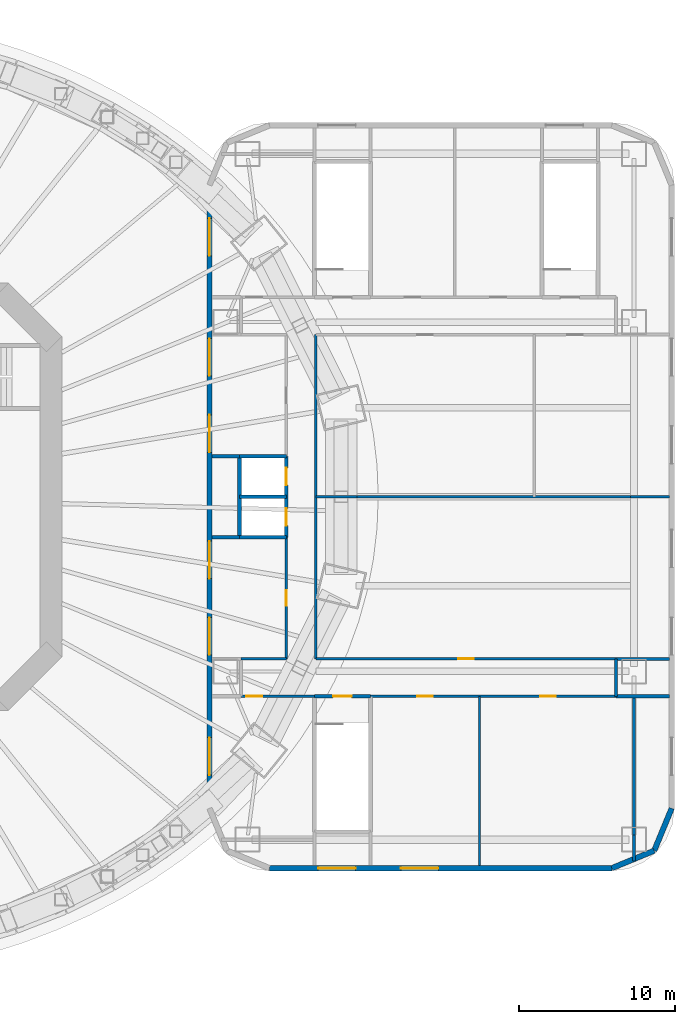
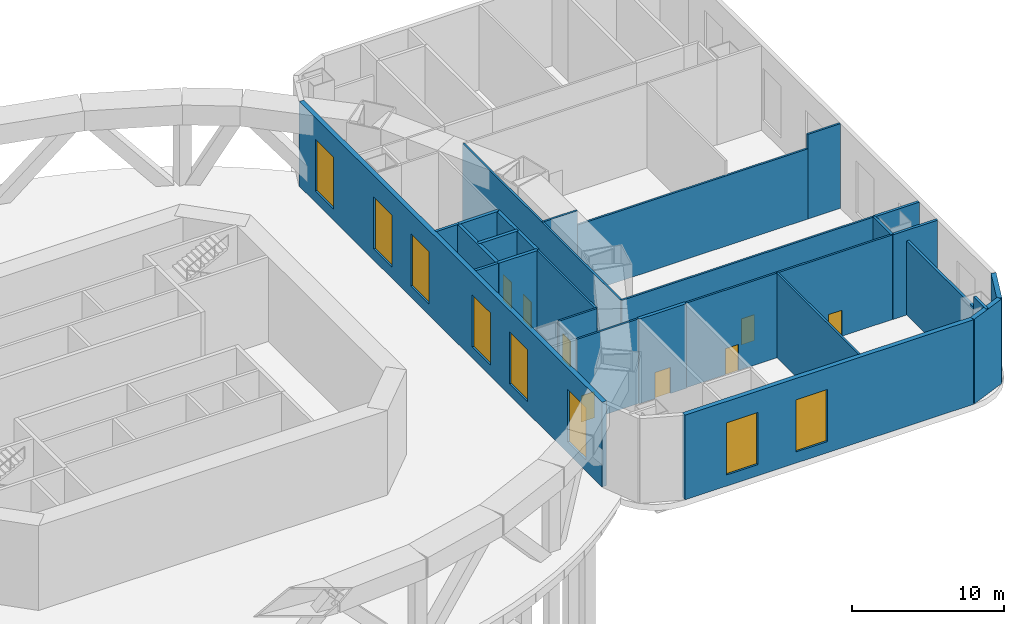
# One storey, part 10 of 13: 27 walls, 8 doors, 8 windows, 16 openings.
"""IFC4 building model written with IfcOpenShell, lengths in metres."""

import ifcopenshell
import ifcopenshell.guid

model = None  # the IFC model being written
_history = None  # IfcOwnerHistory: only IFC2X3 demands one
_inside = {}  # id of a spatial element -> (the spatial element, [elements in it])
_under = {}  # id of a project, library or spatial element -> (it, [spatial elements below it])
_declared = {}  # id of a project -> (the project, [libraries it declares])
_typed = {}  # id of a type object -> (the type object, [elements of that type])
_made_of = {}  # id of a material, layer set ... -> (it, [elements and type objects made of it])


def new_model(schema):
    """Start an empty IFC model of exactly this schema.

    Asked for "IFC4X3", IfcOpenShell would pick the latest addendum, in which some entities
    have other attributes; the version numbers below select the first issue.
    IFC2X3 requires an IfcOwnerHistory on every rooted entity: one is made here for all.
    """
    global model, _history
    if schema == "IFC4X3":
        model = ifcopenshell.file(schema_version=(4, 3, 0, 0))
    else:
        model = ifcopenshell.file(schema=schema)
    _inside.clear()
    _under.clear()
    _declared.clear()
    _typed.clear()
    _made_of.clear()
    _history = None
    if model.schema == "IFC2X3":
        org = make("IfcOrganization", Name="unknown")
        user = make(
            "IfcPersonAndOrganization",
            ThePerson=make("IfcPerson", FamilyName="unknown"),
            TheOrganization=org,
        )
        app = make(
            "IfcApplication",
            ApplicationDeveloper=org,
            Version="unknown",
            ApplicationFullName="unknown",
            ApplicationIdentifier="unknown",
        )
        _history = make(
            "IfcOwnerHistory",
            OwningUser=user,
            OwningApplication=app,
            ChangeAction="ADDED",
            CreationDate=0,
        )
    return model


def make(cls, **values):
    """One entity of the class cls with the attributes given. An attribute that is None is left unset."""
    return model.create_entity(
        cls, **{name: value for name, value in values.items() if value is not None}
    )


def rooted(cls, **values):
    """An entity with a GlobalId (a new one), such as an element, a storey or a relation."""
    return make(cls, GlobalId=ifcopenshell.guid.new(), OwnerHistory=_history, **values)


def si_unit(unit_type, name, prefix=None):
    """IfcSIUnit, for example si_unit("LENGTHUNIT", "METRE", prefix="MILLI")."""
    return make("IfcSIUnit", UnitType=unit_type, Prefix=prefix, Name=name)


def assignment(units):
    """IfcUnitAssignment: the units of a project."""
    return None if units is None else make("IfcUnitAssignment", Units=units)


def point(xyz):
    """IfcCartesianPoint."""
    return None if xyz is None else make("IfcCartesianPoint", Coordinates=xyz)


def direction(xyz):
    """IfcDirection."""
    return None if xyz is None else make("IfcDirection", DirectionRatios=xyz)


def frame(location, z_axis=None, x_axis=None):
    """IfcAxis2Placement3D, a coordinate frame: its origin and axes. An axis left out is left unset."""
    return make(
        "IfcAxis2Placement3D",
        Location=point(location),
        Axis=direction(z_axis),
        RefDirection=direction(x_axis),
    )


def frame_2d(location, x_axis=None):
    """IfcAxis2Placement2D, a coordinate frame in the plane: its origin and x axis."""
    return make(
        "IfcAxis2Placement2D", Location=point(location), RefDirection=direction(x_axis)
    )


def origin():
    """The frame at (0, 0, 0) with its axes left unset."""
    return frame((0.0, 0.0, 0.0))


def place(relative_to, where):
    """IfcLocalPlacement: puts the frame where relative to a parent placement (None: the world)."""
    return make(
        "IfcLocalPlacement", PlacementRelTo=relative_to, RelativePlacement=where
    )


def context(
    kind, dimensions, precision=None, world=None, true_north=None, identifier=None
):
    """IfcGeometricRepresentationContext, for example the 3D "Model" context."""
    return make(
        "IfcGeometricRepresentationContext",
        ContextIdentifier=identifier,
        ContextType=kind,
        CoordinateSpaceDimension=dimensions,
        Precision=precision,
        WorldCoordinateSystem=world,
        TrueNorth=true_north,
    )


def subcontext(parent, identifier, kind, view, scale=None):
    """IfcGeometricRepresentationSubContext, for example "Body" below "Model"."""
    return make(
        "IfcGeometricRepresentationSubContext",
        ContextIdentifier=identifier,
        ContextType=kind,
        ParentContext=parent,
        TargetScale=scale,
        TargetView=view,
    )


def project(units=None, contexts=None):
    """IfcProject with its units and contexts."""
    return rooted(
        "IfcProject",
        Name="project",
        RepresentationContexts=contexts,
        UnitsInContext=assignment(units),
    )


def spatial(cls, under=None, at=None, **own):
    """A site, building, storey or space (cls), placed at a placement, below another one or the project."""
    s = rooted(cls, ObjectPlacement=at, **own)
    if under is not None:
        _under.setdefault(under.id(), (under, []))[1].append(s)
    return s


def profile(cls, at=None, kind="AREA", **sizes):
    """A parametric profile (cls). Its sizes go by their IFC names, for example OverallWidth=200.0."""
    return make(cls, ProfileType=kind, Position=at, **sizes)


def rectangle(**sizes):
    """IfcRectangleProfileDef."""
    return profile("IfcRectangleProfileDef", **sizes)


def extrude(swept, where, along, depth):
    """IfcExtrudedAreaSolid: the profile swept, set in the frame where, extruded along a direction by depth."""
    return make(
        "IfcExtrudedAreaSolid",
        SweptArea=swept,
        Position=where,
        ExtrudedDirection=direction(along),
        Depth=depth,
    )


def shape(context_of_items, identifier, shape_type, items):
    """IfcShapeRepresentation: the items that make up one representation, for example the "Body"."""
    return make(
        "IfcShapeRepresentation",
        ContextOfItems=context_of_items,
        RepresentationIdentifier=identifier,
        RepresentationType=shape_type,
        Items=items,
    )


def material(Name=None, Category=None):
    """IfcMaterial."""
    return make("IfcMaterial", Name=Name, Category=Category)


def layer(
    of_material, thickness, ventilated=None, Name=None, Category=None, Priority=None
):
    """IfcMaterialLayer: one layer of a wall or slab, of a material (None: an air gap)."""
    return make(
        "IfcMaterialLayer",
        Material=of_material,
        LayerThickness=thickness,
        IsVentilated=ventilated,
        Name=Name,
        Category=Category,
        Priority=Priority,
    )


def layer_set(layers, Name=None):
    """IfcMaterialLayerSet."""
    return make("IfcMaterialLayerSet", MaterialLayers=layers, LayerSetName=Name)


def made_of(thing, what):
    """Note that an element or type object is made of a material, layer set ...; save() writes the relation."""
    if what is not None:
        _made_of.setdefault(what.id(), (what, []))[1].append(thing)
    return thing


def type_object(cls, material=None, **own):
    """A type object (cls), such as IfcWallType, which elements share."""
    return made_of(rooted(cls, **own), material)


def element(
    cls,
    number,
    at=None,
    inside=None,
    cuts=None,
    type_object=None,
    material=None,
    context=None,
    identifier="Body",
    shape_type=None,
    held_by="IfcProductDefinitionShape",
    body=None,
    shapes=None,
    **own,
):
    """One element of the class cls, such as IfcWall. Its Tag is "e" and its number.

    at: its placement. inside: the storey or other place that contains it. cuts: it is an
    opening in that element (IfcRelVoidsElement). A single representation is given by context,
    identifier, shape_type and body (its items); several are given by shapes. held_by: the class
    of the entity that holds the representations. save() writes the other relations.
    """
    e = rooted(cls, Tag="e%d" % number, ObjectPlacement=at, **own)
    if body is not None:
        shapes = [shape(context, identifier, shape_type, body)]
    if shapes is not None:
        e.Representation = make(held_by, Representations=shapes)
    if inside is not None:
        _inside.setdefault(inside.id(), (inside, []))[1].append(e)
    if cuts is not None:
        rooted(
            "IfcRelVoidsElement", RelatingBuildingElement=cuts, RelatedOpeningElement=e
        )
    if type_object is not None:
        _typed.setdefault(type_object.id(), (type_object, []))[1].append(e)
    return made_of(e, material)


def fill(opening, filler):
    """IfcRelFillsElement: the door or window that sits in an opening."""
    return rooted(
        "IfcRelFillsElement",
        RelatingOpeningElement=opening,
        RelatedBuildingElement=filler,
    )


def aggregate(whole, parts):
    """IfcRelAggregates: a whole, such as a stair, and the parts it consists of."""
    return rooted("IfcRelAggregates", RelatingObject=whole, RelatedObjects=parts)


def save(model, path):
    """Write the relations noted so far, then the file.

    IfcRelAggregates (storeys below a building ...), IfcRelContainedInSpatialStructure (elements
    in a storey), IfcRelDefinesByType, IfcRelAssociatesMaterial and IfcRelDeclares: one each for
    every whole, place, type object, material and project.
    """
    for whole, parts in _under.values():
        aggregate(whole, parts)
    for where, things in _inside.values():
        rooted(
            "IfcRelContainedInSpatialStructure",
            RelatedElements=things,
            RelatingStructure=where,
        )
    for kind, things in _typed.values():
        rooted("IfcRelDefinesByType", RelatedObjects=things, RelatingType=kind)
    for what, things in _made_of.values():
        rooted("IfcRelAssociatesMaterial", RelatedObjects=things, RelatingMaterial=what)
    for by, libraries in _declared.values():
        rooted("IfcRelDeclares", RelatingContext=by, RelatedDefinitions=libraries)
    model.write(path)


model = new_model("IFC4")

# Units and contexts
model_context = context("Model", 3, precision=1e-05, world=origin(), true_north=direction((0.0, 1.0)))
body_context = subcontext(model_context, "Body", "Model", "MODEL_VIEW")
ifc_project = project(units=[si_unit("LENGTHUNIT", "METRE"), si_unit("AREAUNIT", "SQUARE_METRE"), si_unit("VOLUMEUNIT", "CUBIC_METRE"), si_unit("PLANEANGLEUNIT", "RADIAN"), si_unit("MASSUNIT", "GRAM", prefix="KILO")], contexts=[model_context])

# Site, building, storey
site_placement = place(None, origin())
site = spatial("IfcSite", under=ifc_project, at=site_placement, CompositionType="ELEMENT")
building_placement = place(site_placement, origin())
building = spatial("IfcBuilding", under=site, at=building_placement, Name="Marenthal Gate Tower", CompositionType="ELEMENT")
storey_placement = place(building_placement, frame((0.0, 0.0, 26.0)))
storey = spatial("IfcBuildingStorey", under=building, at=storey_placement, Name="L03", CompositionType="ELEMENT", Elevation=26.0)

# Walls
ifc_material_1 = material(Name="Concrete 40 MPa", Category="concrete")
ifc_layer_1 = layer(ifc_material_1, 0.25)
ifc_layer_set_1 = layer_set([ifc_layer_1], Name="Hoistway wall 250")
wall_type_1 = type_object("IfcWallType", Name="Hoistway wall 250", PredefinedType="STANDARD", material=ifc_layer_set_1)
for number, where, z_axis, x_axis, name in (
    (1, (28.10009765625, -2.60009765625, 0.0), (0.0, 0.0, 1.0), (1.0, 0.0, 0.0), "Hoistway wall 37"),
    (2, (28.10009765625, 0.0, 0.0), (0.0, 0.0, 1.0), (1.0, 0.0, 0.0), "Hoistway wall 39"),
    (3, (28.10009765625, 2.60009765625, 0.0), (0.0, 0.0, 1.0), (1.0, 0.0, 0.0), "Hoistway wall 41"),
):
    element("IfcWall", number, at=place(storey_placement, frame(where, z_axis=z_axis, x_axis=x_axis)), inside=storey, type_object=wall_type_1, Name=name, PredefinedType="STANDARD", context=body_context, shape_type="SweptSolid", body=[
        extrude(rectangle(XDim=3.0, YDim=0.25, at=frame_2d((1.5, 0.0))), origin(), (0.0, 0.0, 1.0), 6.820068359375),
    ])

# Wall, openings, doors
wall_1_placement = place(storey_placement, frame((31.10009765625, -2.60009765625, 0.0), z_axis=(0.0, 0.0, 1.0), x_axis=(0.0, 1.0, 0.0)))
wall_1 = element("IfcWall", 4, at=wall_1_placement, inside=storey, type_object=wall_type_1, Name="Hoistway wall 42", PredefinedType="STANDARD", context=body_context, shape_type="SweptSolid", body=[
    extrude(rectangle(XDim=5.2001953125, YDim=0.25, at=frame_2d((2.60009765625, 0.0))), origin(), (0.0, 0.0, 1.0), 6.820068359375),
])
opening_1_placement = place(wall_1_placement, frame((0.75, 0.0, 0.0)))
opening_1 = element("IfcOpeningElement", 5, at=opening_1_placement, cuts=wall_1, Name="Opening LD.01", PredefinedType="OPENING", context=body_context, shape_type="SweptSolid", body=[
    extrude(rectangle(XDim=1.10009765625, YDim=2.10009765625, at=frame_2d((0.550048828125, 1.050048828125))), frame((0.0, 0.135009765625, 0.0), z_axis=(0.0, -1.0, 0.0), x_axis=(1.0, 0.0, 0.0)), (0.0, 0.0, 1.0), 0.27001953125),
])
opening_2_placement = place(wall_1_placement, frame((3.35009765625, 0.0, 0.0)))
opening_2 = element("IfcOpeningElement", 6, at=opening_2_placement, cuts=wall_1, Name="Opening LD.02", PredefinedType="OPENING", context=body_context, shape_type="SweptSolid", body=[
    extrude(rectangle(XDim=1.10009765625, YDim=2.10009765625, at=frame_2d((0.550048828125, 1.050048828125))), frame((0.0, 0.135009765625, 0.0), z_axis=(0.0, -1.0, 0.0), x_axis=(1.0, 0.0, 0.0)), (0.0, 0.0, 1.0), 0.27001953125),
])
ifc_material_2 = material(Name="Stainless steel sliding door", Category="steel")
door_type_1 = type_object("IfcDoorType", Name="Lift landing door FD 90 1100 x 2100", OperationType="DOUBLE_DOOR_SLIDING", PredefinedType="DOOR", material=ifc_material_2)
door_1_placement = place(opening_1_placement, origin())
door_1 = element("IfcDoor", 7, at=door_1_placement, inside=storey, type_object=door_type_1, Name="Lift landing door 01", OperationType="DOUBLE_DOOR_SLIDING", OverallHeight=2.10009765625, OverallWidth=1.10009765625, PredefinedType="DOOR", context=body_context, shape_type="SweptSolid", body=[
    extrude(rectangle(XDim=1.10009765625, YDim=2.10009765625, at=frame_2d((0.550048828125, 1.050048828125))), frame((0.0, 0.02490234375, 0.0), z_axis=(0.0, -1.0, 0.0), x_axis=(1.0, 0.0, 0.0)), (0.0, 0.0, 1.0), 0.050048828125),
])
fill(opening_1, door_1)
door_2_placement = place(opening_2_placement, origin())
door_2 = element("IfcDoor", 8, at=door_2_placement, inside=storey, type_object=door_type_1, Name="Lift landing door 02", OperationType="DOUBLE_DOOR_SLIDING", OverallHeight=2.10009765625, OverallWidth=1.10009765625, PredefinedType="DOOR", context=body_context, shape_type="SweptSolid", body=[
    extrude(rectangle(XDim=1.10009765625, YDim=2.10009765625, at=frame_2d((0.550048828125, 1.050048828125))), frame((0.0, 0.02490234375, 0.0), z_axis=(0.0, -1.0, 0.0), x_axis=(1.0, 0.0, 0.0)), (0.0, 0.0, 1.0), 0.050048828125),
])
fill(opening_2, door_2)

# Wall
wall_2_placement = place(storey_placement, frame((28.10009765625, -2.60009765625, 0.0), z_axis=(0.0, 0.0, 1.0), x_axis=(0.0, 1.0, 0.0)))
element("IfcWall", 9, at=wall_2_placement, inside=storey, type_object=wall_type_1, Name="Hoistway wall 43", PredefinedType="STANDARD", context=body_context, shape_type="SweptSolid", body=[
    extrude(rectangle(XDim=5.2001953125, YDim=0.25, at=frame_2d((2.60009765625, 0.0))), origin(), (0.0, 0.0, 1.0), 6.820068359375),
])

# Wall, opening, door
ifc_material_3 = material(Name="Gypsum board on steel studs", Category="steel")
ifc_layer_2 = layer(ifc_material_3, 0.14990234375)
ifc_layer_set_2 = layer_set([ifc_layer_2], Name="Partition 150")
wall_type_2 = type_object("IfcWallType", Name="Partition 150", PredefinedType="PARTITIONING", material=ifc_layer_set_2)
wall_3_placement = place(storey_placement, frame((28.199951171875, -12.800048828125, 0.0), z_axis=(0.0, 0.0, 1.0), x_axis=(1.0, 0.0, 0.0)))
wall_3 = element("IfcWall", 10, at=wall_3_placement, inside=storey, type_object=wall_type_2, Name="Partition wall 48", PredefinedType="PARTITIONING", context=body_context, shape_type="SweptSolid", body=[
    extrude(rectangle(XDim=4.705078125, YDim=0.14990234375, at=frame_2d((2.3525390625, 0.0))), origin(), (0.0, 0.0, 1.0), 6.820068359375),
])
opening_3_placement = place(wall_3_placement, frame((0.347412109375, 0.0, 0.0)))
opening_3 = element("IfcOpeningElement", 11, at=opening_3_placement, cuts=wall_3, Name="Opening D005.11", PredefinedType="OPENING", context=body_context, shape_type="SweptSolid", body=[
    extrude(rectangle(XDim=1.0, YDim=2.10009765625, at=frame_2d((0.5, 1.050048828125))), frame((0.0, 0.0849609375, 0.0), z_axis=(0.0, -1.0, 0.0), x_axis=(1.0, 0.0, 0.0)), (0.0, 0.0, 1.0), 0.169921875),
])
ifc_material_4 = material(Name="Steel fire door", Category="steel")
door_type_2 = type_object("IfcDoorType", Name="Fire door FD 45 1000 x 2100", OperationType="NOTDEFINED", PredefinedType="DOOR", material=ifc_material_4)
door_3_placement = place(opening_3_placement, frame((1.0, 0.0, 0.0), z_axis=(0.0, 0.0, 1.0), x_axis=(-1.0, 0.0, 0.0)))
door_3 = element("IfcDoor", 12, at=door_3_placement, inside=storey, type_object=door_type_2, Name="Door D005.11", OperationType="SINGLE_SWING_LEFT", OverallHeight=2.10009765625, OverallWidth=1.0, PredefinedType="DOOR", context=body_context, shape_type="SweptSolid", body=[
    extrude(rectangle(XDim=1.0, YDim=2.10009765625, at=frame_2d((0.5, 1.050048828125))), frame((0.0, 0.02490234375, 0.0), z_axis=(0.0, -1.0, 0.0), x_axis=(1.0, 0.0, 0.0)), (0.0, 0.0, 1.0), 0.050048828125),
])
fill(opening_3, door_3)

# Wall, openings, doors
wall_4_placement = place(storey_placement, frame((36.4951171875, -12.800048828125, 0.0), z_axis=(0.0, 0.0, 1.0), x_axis=(1.0, 0.0, 0.0)))
wall_4 = element("IfcWall", 13, at=wall_4_placement, inside=storey, type_object=wall_type_2, Name="Partition wall 49", PredefinedType="PARTITIONING", context=body_context, shape_type="SweptSolid", body=[
    extrude(rectangle(XDim=15.7548828125, YDim=0.14990234375, at=frame_2d((7.87744140625, 0.0))), origin(), (0.0, 0.0, 1.0), 6.820068359375),
])
opening_4_placement = place(wall_4_placement, frame((3.0048828125, 0.0, 0.0)))
opening_4 = element("IfcOpeningElement", 14, at=opening_4_placement, cuts=wall_4, Name="Opening D005.06", PredefinedType="OPENING", context=body_context, shape_type="SweptSolid", body=[
    extrude(rectangle(XDim=1.0, YDim=2.10009765625, at=frame_2d((0.5, 1.050048828125))), frame((0.0, 0.0849609375, 0.0), z_axis=(0.0, -1.0, 0.0), x_axis=(1.0, 0.0, 0.0)), (0.0, 0.0, 1.0), 0.169921875),
])
opening_5_placement = place(wall_4_placement, frame((10.882568359375, 0.0, 0.0)))
opening_5 = element("IfcOpeningElement", 15, at=opening_5_placement, cuts=wall_4, Name="Opening D005.07", PredefinedType="OPENING", context=body_context, shape_type="SweptSolid", body=[
    extrude(rectangle(XDim=1.0, YDim=2.10009765625, at=frame_2d((0.5, 1.050048828125))), frame((0.0, 0.0849609375, 0.0), z_axis=(0.0, -1.0, 0.0), x_axis=(1.0, 0.0, 0.0)), (0.0, 0.0, 1.0), 0.169921875),
])
door_4_placement = place(opening_4_placement, frame((1.0, 0.0, 0.0), z_axis=(0.0, 0.0, 1.0), x_axis=(-1.0, 0.0, 0.0)))
door_4 = element("IfcDoor", 16, at=door_4_placement, inside=storey, type_object=door_type_2, Name="Door D005.06", OperationType="SINGLE_SWING_LEFT", OverallHeight=2.10009765625, OverallWidth=1.0, PredefinedType="DOOR", context=body_context, shape_type="SweptSolid", body=[
    extrude(rectangle(XDim=1.0, YDim=2.10009765625, at=frame_2d((0.5, 1.050048828125))), frame((0.0, 0.02490234375, 0.0), z_axis=(0.0, -1.0, 0.0), x_axis=(1.0, 0.0, 0.0)), (0.0, 0.0, 1.0), 0.050048828125),
])
fill(opening_4, door_4)
door_5_placement = place(opening_5_placement, frame((1.0, 0.0, 0.0), z_axis=(0.0, 0.0, 1.0), x_axis=(-1.0, 0.0, 0.0)))
door_5 = element("IfcDoor", 17, at=door_5_placement, inside=storey, type_object=door_type_2, Name="Door D005.07", OperationType="SINGLE_SWING_LEFT", OverallHeight=2.10009765625, OverallWidth=1.0, PredefinedType="DOOR", context=body_context, shape_type="SweptSolid", body=[
    extrude(rectangle(XDim=1.0, YDim=2.10009765625, at=frame_2d((0.5, 1.050048828125))), frame((0.0, 0.02490234375, 0.0), z_axis=(0.0, -1.0, 0.0), x_axis=(1.0, 0.0, 0.0)), (0.0, 0.0, 1.0), 0.050048828125),
])
fill(opening_5, door_5)

# Wall
wall_5_placement = place(storey_placement, frame((28.199951171875, -10.39990234375, 0.0), z_axis=(0.0, 0.0, 1.0), x_axis=(1.0, 0.0, 0.0)))
element("IfcWall", 18, at=wall_5_placement, inside=storey, type_object=wall_type_2, Name="Partition wall 52", PredefinedType="PARTITIONING", context=body_context, shape_type="SweptSolid", body=[
    extrude(rectangle(XDim=2.905029296875, YDim=0.14990234375, at=frame_2d((1.45263671875, 0.0))), origin(), (0.0, 0.0, 1.0), 6.820068359375),
])

# Wall, opening, door
wall_6_placement = place(storey_placement, frame((32.9951171875, -10.39990234375, 0.0), z_axis=(0.0, 0.0, 1.0), x_axis=(1.0, 0.0, 0.0)))
wall_6 = element("IfcWall", 19, at=wall_6_placement, inside=storey, type_object=wall_type_2, Name="Partition wall 53", PredefinedType="PARTITIONING", context=body_context, shape_type="SweptSolid", body=[
    extrude(rectangle(XDim=19.2548828125, YDim=0.14990234375, at=frame_2d((9.62744140625, 0.0))), origin(), (0.0, 0.0, 1.0), 6.820068359375),
])
opening_6_placement = place(wall_6_placement, frame((9.132568359375, 0.0, 0.0)))
opening_6 = element("IfcOpeningElement", 20, at=opening_6_placement, cuts=wall_6, Name="Opening D005.05", PredefinedType="OPENING", context=body_context, shape_type="SweptSolid", body=[
    extrude(rectangle(XDim=1.0, YDim=2.10009765625, at=frame_2d((0.5, 1.050048828125))), frame((0.0, 0.0849609375, 0.0), z_axis=(0.0, -1.0, 0.0), x_axis=(1.0, 0.0, 0.0)), (0.0, 0.0, 1.0), 0.169921875),
])
door_6_placement = place(opening_6_placement, origin())
door_6 = element("IfcDoor", 21, at=door_6_placement, inside=storey, type_object=door_type_2, Name="Door D005.05", OperationType="SINGLE_SWING_RIGHT", OverallHeight=2.10009765625, OverallWidth=1.0, PredefinedType="DOOR", context=body_context, shape_type="SweptSolid", body=[
    extrude(rectangle(XDim=1.0, YDim=2.10009765625, at=frame_2d((0.5, 1.050048828125))), frame((0.0, 0.02490234375, 0.0), z_axis=(0.0, -1.0, 0.0), x_axis=(1.0, 0.0, 0.0)), (0.0, 0.0, 1.0), 0.050048828125),
])
fill(opening_6, door_6)

# Walls
wall_7_placement = place(storey_placement, frame((33.0, 0.0, 0.0), z_axis=(0.0, 0.0, 1.0), x_axis=(1.0, 0.0, 0.0)))
element("IfcWall", 22, at=wall_7_placement, inside=storey, type_object=wall_type_2, Name="Partition wall 55", PredefinedType="PARTITIONING", context=body_context, shape_type="SweptSolid", body=[
    extrude(rectangle(XDim=2.62158203125, YDim=0.14990234375, at=frame_2d((1.310791015625, 0.0))), origin(), (0.0, 0.0, 1.0), 6.820068359375),
])
wall_8_placement = place(storey_placement, frame((35.62158203125, 0.0, 0.0), z_axis=(0.0, 0.0, 1.0), x_axis=(1.0, 0.0, 0.0)))
element("IfcWall", 23, at=wall_8_placement, inside=storey, type_object=wall_type_2, Name="Partition wall 148", PredefinedType="PARTITIONING", context=body_context, shape_type="SweptSolid", body=[
    extrude(rectangle(XDim=17.553466796875, YDim=0.14990234375, at=frame_2d((8.77685546875, 0.0))), origin(), (0.0, 0.0, 1.0), 5.659912109375),
])
wall_9_placement = place(storey_placement, frame((53.175048828125, 0.0, 0.0), z_axis=(0.0, 0.0, 1.0), x_axis=(1.0, 0.0, 0.0)))
element("IfcWall", 24, at=wall_9_placement, inside=storey, type_object=wall_type_2, Name="Partition wall 149", PredefinedType="PARTITIONING", context=body_context, shape_type="SweptSolid", body=[
    extrude(rectangle(XDim=2.494873046875, YDim=0.14990234375, at=frame_2d((1.24755859375, 0.0))), origin(), (0.0, 0.0, 1.0), 6.820068359375),
])
wall_10_placement = place(storey_placement, frame((43.5, -23.669921875, 0.0), z_axis=(0.0, 0.0, 1.0), x_axis=(0.0, 1.0, 0.0)))
element("IfcWall", 25, at=wall_10_placement, inside=storey, type_object=wall_type_2, Name="Partition wall 65", PredefinedType="PARTITIONING", context=body_context, shape_type="SweptSolid", body=[
    extrude(rectangle(XDim=10.869873046875, YDim=0.14990234375, at=frame_2d((5.43505859375, 0.0))), origin(), (0.0, 0.0, 1.0), 6.820068359375),
])
wall_11_placement = place(storey_placement, frame((33.0, -10.39990234375, 0.0), z_axis=(0.0, 0.0, 1.0), x_axis=(0.0, 1.0, 0.0)))
element("IfcWall", 26, at=wall_11_placement, inside=storey, type_object=wall_type_2, Name="Partition wall 67", PredefinedType="PARTITIONING", context=body_context, shape_type="SweptSolid", body=[
    extrude(rectangle(XDim=20.7998046875, YDim=0.14990234375, at=frame_2d((10.39990234375, 0.0))), origin(), (0.0, 0.0, 1.0), 6.820068359375),
])

# Wall, opening, door
wall_12_placement = place(storey_placement, frame((31.10009765625, -10.39990234375, 0.0), z_axis=(0.0, 0.0, 1.0), x_axis=(0.0, 1.0, 0.0)))
wall_12 = element("IfcWall", 27, at=wall_12_placement, inside=storey, type_object=wall_type_2, Name="Partition wall 68", PredefinedType="PARTITIONING", context=body_context, shape_type="SweptSolid", body=[
    extrude(rectangle(XDim=7.804931640625, YDim=0.14990234375, at=frame_2d((3.90234375, 0.0))), origin(), (0.0, 0.0, 1.0), 6.820068359375),
])
opening_7_placement = place(wall_12_placement, frame((3.39990234375, 0.0, 0.0)))
opening_7 = element("IfcOpeningElement", 28, at=opening_7_placement, cuts=wall_12, Name="Opening D005.09", PredefinedType="OPENING", context=body_context, shape_type="SweptSolid", body=[
    extrude(rectangle(XDim=1.0, YDim=2.10009765625, at=frame_2d((0.5, 1.050048828125))), frame((0.0, 0.0849609375, 0.0), z_axis=(0.0, -1.0, 0.0), x_axis=(1.0, 0.0, 0.0)), (0.0, 0.0, 1.0), 0.169921875),
])
door_7_placement = place(opening_7_placement, origin())
door_7 = element("IfcDoor", 29, at=door_7_placement, inside=storey, type_object=door_type_2, Name="Door D005.09", OperationType="SINGLE_SWING_RIGHT", OverallHeight=2.10009765625, OverallWidth=1.0, PredefinedType="DOOR", context=body_context, shape_type="SweptSolid", body=[
    extrude(rectangle(XDim=1.0, YDim=2.10009765625, at=frame_2d((0.5, 1.050048828125))), frame((0.0, 0.02490234375, 0.0), z_axis=(0.0, -1.0, 0.0), x_axis=(1.0, 0.0, 0.0)), (0.0, 0.0, 1.0), 0.050048828125),
])
fill(opening_7, door_7)

# Walls
ifc_material_5 = material(Name="Gypsum board on steel studs", Category="steel")
ifc_layer_3 = layer(ifc_material_5, 0.199951171875)
ifc_layer_set_3 = layer_set([ifc_layer_3], Name="Partition 200")
wall_type_3 = type_object("IfcWallType", Name="Partition 200", PredefinedType="PARTITIONING", material=ifc_layer_set_3)
for number, where, z_axis, x_axis, name in (
    (30, (52.2451171875, -12.800048828125, 0.0), (0.0, 0.0, 1.0), (1.0, 0.0, 0.0), "Partition wall 81"),
    (31, (52.2451171875, -10.39990234375, 0.0), (0.0, 0.0, 1.0), (1.0, 0.0, 0.0), "Partition wall 85"),
):
    element("IfcWall", number, at=place(storey_placement, frame(where, z_axis=z_axis, x_axis=x_axis)), inside=storey, type_object=wall_type_3, Name=name, PredefinedType="PARTITIONING", context=body_context, shape_type="SweptSolid", body=[
        extrude(rectangle(XDim=3.4248046875, YDim=0.199951171875, at=frame_2d((1.71240234375, 0.0))), origin(), (0.0, 0.0, 1.0), 6.820068359375),
    ])
for number, where, z_axis, x_axis, name in (
    (32, (26.330078125, -2.60009765625, 0.0), (0.0, 0.0, 1.0), (1.0, 0.0, 0.0), "Partition wall 87"),
    (33, (26.330078125, 2.60009765625, 0.0), (0.0, 0.0, 1.0), (1.0, 0.0, 0.0), "Partition wall 89"),
):
    element("IfcWall", number, at=place(storey_placement, frame(where, z_axis=z_axis, x_axis=x_axis)), inside=storey, type_object=wall_type_3, Name=name, PredefinedType="PARTITIONING", context=body_context, shape_type="SweptSolid", body=[
        extrude(rectangle(XDim=1.77001953125, YDim=0.199951171875, at=frame_2d((0.885009765625, 0.0))), origin(), (0.0, 0.0, 1.0), 6.820068359375),
    ])
wall_13_placement = place(storey_placement, frame((53.39990234375, -23.35546875, 0.0), z_axis=(0.0, 0.0, 1.0), x_axis=(0.0, 1.0, 0.0)))
element("IfcWall", 34, at=wall_13_placement, inside=storey, type_object=wall_type_3, Name="Partition wall 00", PredefinedType="PARTITIONING", context=body_context, shape_type="SweptSolid", body=[
    extrude(rectangle(XDim=1.655517578125, YDim=0.199951171875, at=frame_2d((0.82763671875, 0.0))), origin(), (0.0, 0.0, 1.0), 6.820068359375),
])
wall_14_placement = place(storey_placement, frame((53.39990234375, -21.699951171875, 0.0), z_axis=(0.0, 0.0, 1.0), x_axis=(0.0, 1.0, 0.0)))
element("IfcWall", 35, at=wall_14_placement, inside=storey, type_object=wall_type_3, Name="Partition wall 154", PredefinedType="PARTITIONING", context=body_context, shape_type="SweptSolid", body=[
    extrude(rectangle(XDim=8.89990234375, YDim=0.199951171875, at=frame_2d((4.449951171875, 0.0))), origin(), (0.0, 0.0, 1.0), 5.97705078125),
])
wall_15_placement = place(storey_placement, frame((52.25, -12.800048828125, 0.0), z_axis=(0.0, 0.0, 1.0), x_axis=(0.0, 1.0, 0.0)))
element("IfcWall", 36, at=wall_15_placement, inside=storey, type_object=wall_type_3, Name="Partition wall 01", PredefinedType="PARTITIONING", context=body_context, shape_type="SweptSolid", body=[
    extrude(rectangle(XDim=2.400146484375, YDim=0.199951171875, at=frame_2d((1.2001953125, 0.0))), origin(), (0.0, 0.0, 1.0), 6.820068359375),
])

# Wall, opening, door
ifc_material_6 = material(Name="Concrete 50 MPa", Category="concrete")
ifc_layer_4 = layer(ifc_material_6, 0.25)
ifc_layer_set_4 = layer_set([ifc_layer_4], Name="Stair shear wall 250")
wall_type_4 = type_object("IfcWallType", Name="Stair shear wall 250", PredefinedType="SHEAR", material=ifc_layer_set_4)
wall_16_placement = place(storey_placement, frame((32.89501953125, -12.800048828125, 0.0), z_axis=(0.0, 0.0, 1.0), x_axis=(1.0, 0.0, 0.0)))
wall_16 = element("IfcWall", 37, at=wall_16_placement, inside=storey, type_object=wall_type_4, Name="Stair wall 25", PredefinedType="SHEAR", context=body_context, shape_type="SweptSolid", body=[
    extrude(rectangle(XDim=3.60986328125, YDim=0.25, at=frame_2d((1.804931640625, 0.0))), origin(), (0.0, 0.0, 1.0), 6.820068359375),
])
opening_8_placement = place(wall_16_placement, frame((1.205078125, 0.0, 0.0)))
opening_8 = element("IfcOpeningElement", 38, at=opening_8_placement, cuts=wall_16, Name="Opening D001.03", PredefinedType="OPENING", context=body_context, shape_type="SweptSolid", body=[
    extrude(rectangle(XDim=1.199951171875, YDim=2.10009765625, at=frame_2d((0.60009765625, 1.050048828125))), frame((0.0, 0.135009765625, 0.0), z_axis=(0.0, -1.0, 0.0), x_axis=(1.0, 0.0, 0.0)), (0.0, 0.0, 1.0), 0.27001953125),
])
ifc_material_7 = material(Name="Steel fire door", Category="steel")
door_type_3 = type_object("IfcDoorType", Name="Fire door FD 90 1200 x 2100", OperationType="NOTDEFINED", PredefinedType="DOOR", material=ifc_material_7)
door_8_placement = place(opening_8_placement, frame((1.199951171875, 0.0, 0.0), z_axis=(0.0, 0.0, 1.0), x_axis=(-1.0, 0.0, 0.0)))
door_8 = element("IfcDoor", 39, at=door_8_placement, inside=storey, type_object=door_type_3, Name="Door D001.03", OperationType="SINGLE_SWING_LEFT", OverallHeight=2.10009765625, OverallWidth=1.199951171875, PredefinedType="DOOR", context=body_context, shape_type="SweptSolid", body=[
    extrude(rectangle(XDim=1.199951171875, YDim=2.10009765625, at=frame_2d((0.60009765625, 1.050048828125))), frame((0.0, 0.02490234375, 0.0), z_axis=(0.0, -1.0, 0.0), x_axis=(1.0, 0.0, 0.0)), (0.0, 0.0, 1.0), 0.050048828125),
])
fill(opening_8, door_8)

# Walls
ifc_material_8 = material(Name="Terracotta cladding on insulated concrete-block backing", Category="masonry")
ifc_layer_5 = layer(ifc_material_8, 0.35009765625)
ifc_layer_set_5 = layer_set([ifc_layer_5], Name="Terracotta cladding wall 350")
wall_type_5 = type_object("IfcWallType", Name="Terracotta cladding wall 350", PredefinedType="SOLIDWALL", material=ifc_layer_set_5)
for number, where, z_axis, x_axis, name in (
    (40, (51.988525390625, -23.824951171875, 0.0), (0.0, 0.0, 1.0), (0.924274813566, 0.381727741993, 0.0), "Terracotta cladding wall L03 E1"),
    (41, (54.70361328125, -22.70361328125, 0.0), (0.0, 0.0, 1.0), (0.381727741993, 0.924274813566, 0.0), "Terracotta cladding wall L03 E2"),
):
    element("IfcWall", number, at=place(storey_placement, frame(where, z_axis=z_axis, x_axis=x_axis)), inside=storey, type_object=wall_type_5, Name=name, PredefinedType="SOLIDWALL", context=body_context, shape_type="SweptSolid", body=[
        extrude(rectangle(XDim=2.9375, YDim=0.35009765625, at=frame_2d((1.46875, 0.0))), origin(), (0.0, 0.0, 1.0), 6.820068359375),
    ])

# Wall, openings, windows
wall_17_placement = place(storey_placement, frame((26.175048828125, 19.988525390625, 0.0), z_axis=(0.0, 0.0, 1.0), x_axis=(0.0, -1.0, 0.0)))
wall_17 = element("IfcWall", 42, at=wall_17_placement, inside=storey, type_object=wall_type_5, Name="Terracotta cladding wall L03 E9", PredefinedType="SOLIDWALL", context=body_context, shape_type="SweptSolid", body=[
    extrude(rectangle(XDim=39.97705078125, YDim=0.35009765625, at=frame_2d((19.988525390625, 0.0))), origin(), (0.0, 0.0, 1.0), 6.820068359375),
])
opening_9_placement = place(wall_17_placement, frame((2.13134765625, 0.0, 0.89990234375)))
opening_9 = element("IfcOpeningElement", 43, at=opening_9_placement, cuts=wall_17, Name="Opening WN4-L03-41", PredefinedType="OPENING", context=body_context, shape_type="SweptSolid", body=[
    extrude(rectangle(XDim=2.39990234375, YDim=4.199951171875, at=frame_2d((1.199951171875, 2.10009765625))), frame((0.0, 0.18505859375, 0.0), z_axis=(0.0, -1.0, 0.0), x_axis=(1.0, 0.0, 0.0)), (0.0, 0.0, 1.0), 0.3701171875),
])
opening_10_placement = place(wall_17_placement, frame((9.83837890625, 0.0, 0.89990234375)))
opening_10 = element("IfcOpeningElement", 44, at=opening_10_placement, cuts=wall_17, Name="Opening WN4-L03-42", PredefinedType="OPENING", context=body_context, shape_type="SweptSolid", body=[
    extrude(rectangle(XDim=2.39990234375, YDim=4.199951171875, at=frame_2d((1.199951171875, 2.10009765625))), frame((0.0, 0.18505859375, 0.0), z_axis=(0.0, -1.0, 0.0), x_axis=(1.0, 0.0, 0.0)), (0.0, 0.0, 1.0), 0.3701171875),
])
opening_11_placement = place(wall_17_placement, frame((14.738525390625, 0.0, 0.89990234375)))
opening_11 = element("IfcOpeningElement", 45, at=opening_11_placement, cuts=wall_17, Name="Opening WN4-L03-43", PredefinedType="OPENING", context=body_context, shape_type="SweptSolid", body=[
    extrude(rectangle(XDim=2.39990234375, YDim=4.199951171875, at=frame_2d((1.199951171875, 2.10009765625))), frame((0.0, 0.18505859375, 0.0), z_axis=(0.0, -1.0, 0.0), x_axis=(1.0, 0.0, 0.0)), (0.0, 0.0, 1.0), 0.3701171875),
])
opening_12_placement = place(wall_17_placement, frame((22.83837890625, 0.0, 0.89990234375)))
opening_12 = element("IfcOpeningElement", 46, at=opening_12_placement, cuts=wall_17, Name="Opening WN4-L03-44", PredefinedType="OPENING", context=body_context, shape_type="SweptSolid", body=[
    extrude(rectangle(XDim=2.39990234375, YDim=4.199951171875, at=frame_2d((1.199951171875, 2.10009765625))), frame((0.0, 0.18505859375, 0.0), z_axis=(0.0, -1.0, 0.0), x_axis=(1.0, 0.0, 0.0)), (0.0, 0.0, 1.0), 0.3701171875),
])
opening_13_placement = place(wall_17_placement, frame((27.738525390625, 0.0, 0.89990234375)))
opening_13 = element("IfcOpeningElement", 47, at=opening_13_placement, cuts=wall_17, Name="Opening WN4-L03-45", PredefinedType="OPENING", context=body_context, shape_type="SweptSolid", body=[
    extrude(rectangle(XDim=2.39990234375, YDim=4.199951171875, at=frame_2d((1.199951171875, 2.10009765625))), frame((0.0, 0.18505859375, 0.0), z_axis=(0.0, -1.0, 0.0), x_axis=(1.0, 0.0, 0.0)), (0.0, 0.0, 1.0), 0.3701171875),
])
opening_14_placement = place(wall_17_placement, frame((35.445556640625, 0.0, 0.89990234375)))
opening_14 = element("IfcOpeningElement", 48, at=opening_14_placement, cuts=wall_17, Name="Opening WN4-L03-46", PredefinedType="OPENING", context=body_context, shape_type="SweptSolid", body=[
    extrude(rectangle(XDim=2.39990234375, YDim=4.199951171875, at=frame_2d((1.199951171875, 2.10009765625))), frame((0.0, 0.18505859375, 0.0), z_axis=(0.0, -1.0, 0.0), x_axis=(1.0, 0.0, 0.0)), (0.0, 0.0, 1.0), 0.3701171875),
])
ifc_material_9 = material(Name="Aluminium and laminated impact-rated glass", Category="aluminium")
window_type = type_object("IfcWindowType", Name="Window 2400x4200 impact-rated", PartitioningType="DOUBLE_PANEL_VERTICAL", PredefinedType="WINDOW", material=ifc_material_9)
window_1_placement = place(opening_9_placement, origin())
window_1 = element("IfcWindow", 49, at=window_1_placement, inside=storey, type_object=window_type, Name="Window L03 E9 1", OverallHeight=4.199951171875, OverallWidth=2.39990234375, PartitioningType="SINGLE_PANEL", PredefinedType="WINDOW", context=body_context, shape_type="SweptSolid", body=[
    extrude(rectangle(XDim=2.39990234375, YDim=4.199951171875, at=frame_2d((1.199951171875, 2.10009765625))), frame((0.0, 0.030029296875, 0.0), z_axis=(0.0, -1.0, 0.0), x_axis=(1.0, 0.0, 0.0)), (0.0, 0.0, 1.0), 0.06005859375),
])
fill(opening_9, window_1)
window_2_placement = place(opening_10_placement, origin())
window_2 = element("IfcWindow", 50, at=window_2_placement, inside=storey, type_object=window_type, Name="Window L03 E9 2", OverallHeight=4.199951171875, OverallWidth=2.39990234375, PartitioningType="SINGLE_PANEL", PredefinedType="WINDOW", context=body_context, shape_type="SweptSolid", body=[
    extrude(rectangle(XDim=2.39990234375, YDim=4.199951171875, at=frame_2d((1.199951171875, 2.10009765625))), frame((0.0, 0.030029296875, 0.0), z_axis=(0.0, -1.0, 0.0), x_axis=(1.0, 0.0, 0.0)), (0.0, 0.0, 1.0), 0.06005859375),
])
fill(opening_10, window_2)
window_3_placement = place(opening_11_placement, origin())
window_3 = element("IfcWindow", 51, at=window_3_placement, inside=storey, type_object=window_type, Name="Window L03 E9 3", OverallHeight=4.199951171875, OverallWidth=2.39990234375, PartitioningType="SINGLE_PANEL", PredefinedType="WINDOW", context=body_context, shape_type="SweptSolid", body=[
    extrude(rectangle(XDim=2.39990234375, YDim=4.199951171875, at=frame_2d((1.199951171875, 2.10009765625))), frame((0.0, 0.030029296875, 0.0), z_axis=(0.0, -1.0, 0.0), x_axis=(1.0, 0.0, 0.0)), (0.0, 0.0, 1.0), 0.06005859375),
])
fill(opening_11, window_3)
window_4_placement = place(opening_12_placement, origin())
window_4 = element("IfcWindow", 52, at=window_4_placement, inside=storey, type_object=window_type, Name="Window L03 E9 4", OverallHeight=4.199951171875, OverallWidth=2.39990234375, PartitioningType="SINGLE_PANEL", PredefinedType="WINDOW", context=body_context, shape_type="SweptSolid", body=[
    extrude(rectangle(XDim=2.39990234375, YDim=4.199951171875, at=frame_2d((1.199951171875, 2.10009765625))), frame((0.0, 0.030029296875, 0.0), z_axis=(0.0, -1.0, 0.0), x_axis=(1.0, 0.0, 0.0)), (0.0, 0.0, 1.0), 0.06005859375),
])
fill(opening_12, window_4)
window_5_placement = place(opening_13_placement, origin())
window_5 = element("IfcWindow", 53, at=window_5_placement, inside=storey, type_object=window_type, Name="Window L03 E9 5", OverallHeight=4.199951171875, OverallWidth=2.39990234375, PartitioningType="SINGLE_PANEL", PredefinedType="WINDOW", context=body_context, shape_type="SweptSolid", body=[
    extrude(rectangle(XDim=2.39990234375, YDim=4.199951171875, at=frame_2d((1.199951171875, 2.10009765625))), frame((0.0, 0.030029296875, 0.0), z_axis=(0.0, -1.0, 0.0), x_axis=(1.0, 0.0, 0.0)), (0.0, 0.0, 1.0), 0.06005859375),
])
fill(opening_13, window_5)
window_6_placement = place(opening_14_placement, origin())
window_6 = element("IfcWindow", 54, at=window_6_placement, inside=storey, type_object=window_type, Name="Window L03 E9 6", OverallHeight=4.199951171875, OverallWidth=2.39990234375, PartitioningType="SINGLE_PANEL", PredefinedType="WINDOW", context=body_context, shape_type="SweptSolid", body=[
    extrude(rectangle(XDim=2.39990234375, YDim=4.199951171875, at=frame_2d((1.199951171875, 2.10009765625))), frame((0.0, 0.030029296875, 0.0), z_axis=(0.0, -1.0, 0.0), x_axis=(1.0, 0.0, 0.0)), (0.0, 0.0, 1.0), 0.06005859375),
])
fill(opening_14, window_6)

wall_18_placement = place(storey_placement, frame((30.011474609375, -23.824951171875, 0.0), z_axis=(0.0, 0.0, 1.0), x_axis=(1.0, 0.0, 0.0)))
wall_18 = element("IfcWall", 55, at=wall_18_placement, inside=storey, type_object=wall_type_5, Name="Terracotta cladding wall L03 E12", PredefinedType="SOLIDWALL", context=body_context, shape_type="SweptSolid", body=[
    extrude(rectangle(XDim=21.97705078125, YDim=0.35009765625, at=frame_2d((10.988525390625, 0.0))), origin(), (0.0, 0.0, 1.0), 6.820068359375),
])
opening_15_placement = place(wall_18_placement, frame((3.138427734375, 0.0, 0.89990234375)))
opening_15 = element("IfcOpeningElement", 56, at=opening_15_placement, cuts=wall_18, Name="Opening WN4-L03-47", PredefinedType="OPENING", context=body_context, shape_type="SweptSolid", body=[
    extrude(rectangle(XDim=2.39990234375, YDim=4.199951171875, at=frame_2d((1.199951171875, 2.10009765625))), frame((0.0, 0.18505859375, 0.0), z_axis=(0.0, -1.0, 0.0), x_axis=(1.0, 0.0, 0.0)), (0.0, 0.0, 1.0), 0.3701171875),
])
opening_16_placement = place(wall_18_placement, frame((8.4384765625, 0.0, 0.89990234375)))
opening_16 = element("IfcOpeningElement", 57, at=opening_16_placement, cuts=wall_18, Name="Opening WN4-L03-48", PredefinedType="OPENING", context=body_context, shape_type="SweptSolid", body=[
    extrude(rectangle(XDim=2.39990234375, YDim=4.199951171875, at=frame_2d((1.199951171875, 2.10009765625))), frame((0.0, 0.18505859375, 0.0), z_axis=(0.0, -1.0, 0.0), x_axis=(1.0, 0.0, 0.0)), (0.0, 0.0, 1.0), 0.3701171875),
])
window_7_placement = place(opening_15_placement, origin())
window_7 = element("IfcWindow", 58, at=window_7_placement, inside=storey, type_object=window_type, Name="Window L03 E12 1", OverallHeight=4.199951171875, OverallWidth=2.39990234375, PartitioningType="SINGLE_PANEL", PredefinedType="WINDOW", context=body_context, shape_type="SweptSolid", body=[
    extrude(rectangle(XDim=2.39990234375, YDim=4.199951171875, at=frame_2d((1.199951171875, 2.10009765625))), frame((0.0, 0.030029296875, 0.0), z_axis=(0.0, -1.0, 0.0), x_axis=(1.0, 0.0, 0.0)), (0.0, 0.0, 1.0), 0.06005859375),
])
fill(opening_15, window_7)
window_8_placement = place(opening_16_placement, origin())
window_8 = element("IfcWindow", 59, at=window_8_placement, inside=storey, type_object=window_type, Name="Window L03 E12 2", OverallHeight=4.199951171875, OverallWidth=2.39990234375, PartitioningType="SINGLE_PANEL", PredefinedType="WINDOW", context=body_context, shape_type="SweptSolid", body=[
    extrude(rectangle(XDim=2.39990234375, YDim=4.199951171875, at=frame_2d((1.199951171875, 2.10009765625))), frame((0.0, 0.030029296875, 0.0), z_axis=(0.0, -1.0, 0.0), x_axis=(1.0, 0.0, 0.0)), (0.0, 0.0, 1.0), 0.06005859375),
])
fill(opening_16, window_8)

save(model, "model.ifc")
